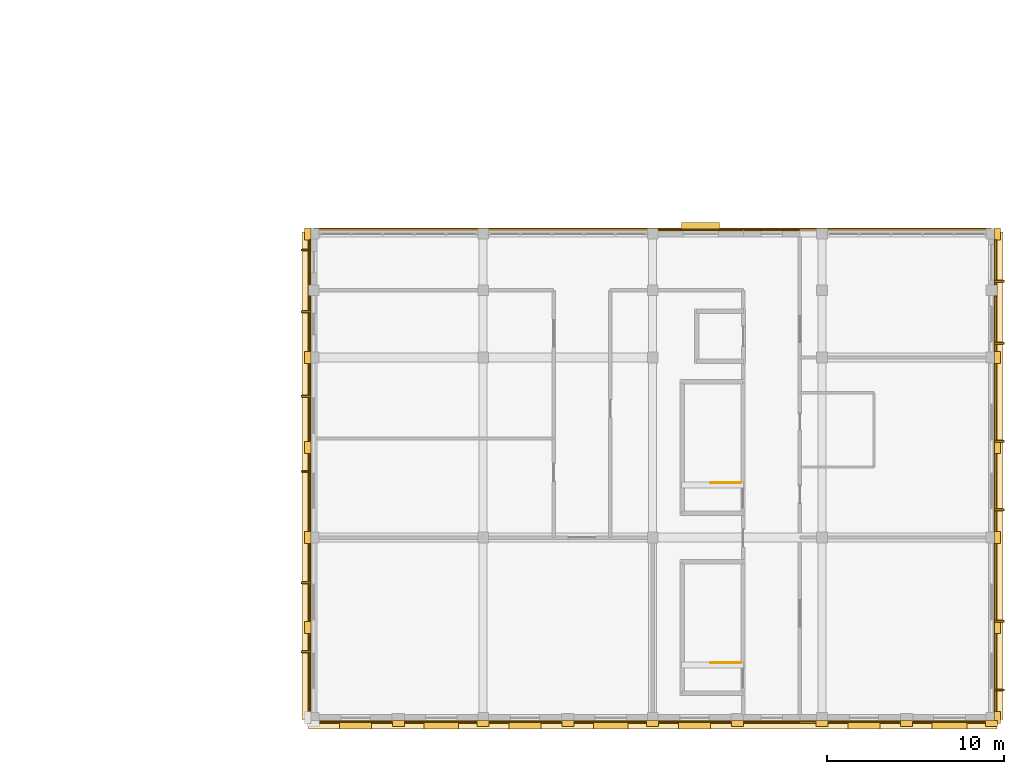
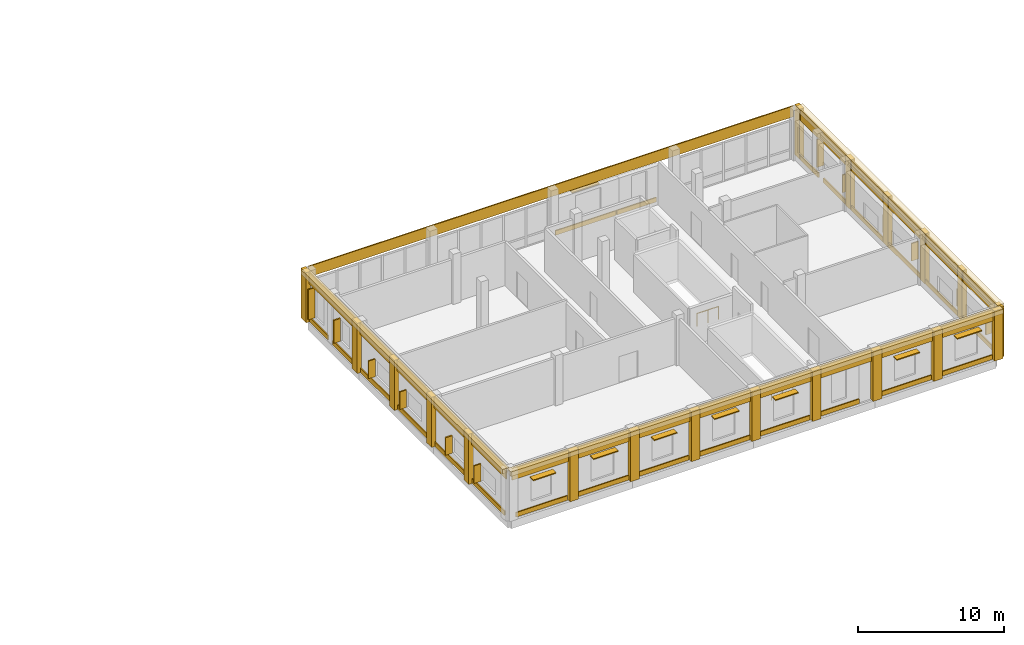
# One storey, part 93 of 93: 44 coverings, 20 shading devices, 2 railings.
"""IFC4 building model written with IfcOpenShell, lengths in metres."""

from ifc_helpers import new_model, si_unit, direction, frame, origin, origin_2d, place, context, subcontext, project, spatial, rectangle, circle, extrude, material, layer, layer_set, type_object, element, save


model = new_model("IFC4")

# Units and contexts
model_context = context("Model", 3, precision=1e-05, world=origin(), true_north=direction((0.0, 1.0)))
body_context = subcontext(model_context, "Body", "Model", "MODEL_VIEW")
ifc_project = project(units=[si_unit("LENGTHUNIT", "METRE"), si_unit("AREAUNIT", "SQUARE_METRE"), si_unit("VOLUMEUNIT", "CUBIC_METRE"), si_unit("PLANEANGLEUNIT", "RADIAN"), si_unit("MASSUNIT", "GRAM", prefix="KILO")], contexts=[model_context])

# Site, building, storey
site_placement = place(None, origin())
site = spatial("IfcSite", under=ifc_project, at=site_placement, CompositionType="ELEMENT")
building_placement = place(site_placement, origin())
building = spatial("IfcBuilding", under=site, at=building_placement, Name="Vondelvale Polytechnic", CompositionType="ELEMENT")
storey_placement = place(building_placement, frame((0.0, 0.0, 18.0)))
storey = spatial("IfcBuildingStorey", under=building, at=storey_placement, Name="L04", CompositionType="ELEMENT", Elevation=18.0)

# Coverings
ifc_material_1 = material(Name="Amsterdam School iron-spot clinker clay brickwork", Category="masonry")
ifc_layer_1 = layer(ifc_material_1, 0.090087890625)
ifc_layer_set_1 = layer_set([ifc_layer_1], Name="COV-BRICK-RELIEF")
covering_type = type_object("IfcCoveringType", Name="COV-BRICK-RELIEF", PredefinedType="CLADDING", material=ifc_layer_set_1)
covering_1_placement = place(storey_placement, frame((153.60009765625, -0.264892578125, 3.239990234375), z_axis=(0.0, 0.0, 1.0), x_axis=(1.0, 0.0, 0.0)))
element("IfcCovering", 1, at=covering_1_placement, inside=storey, type_object=covering_type, Name="L04 exterior masonry spandrel band", PredefinedType="CLADDING", context=body_context, shape_type="SweptSolid", body=[
    extrude(rectangle(XDim=38.39990234375, YDim=0.090087890625, at=origin_2d()), origin(), (0.0, 0.0, 1.0), 0.9599609375),
])
for number, where, z_axis, x_axis, name in (
    (2, (134.135009765625, 13.699951171875, 3.239990234375), (0.0, 0.0, 1.0), (0.0, 1.0, 0.0), "L04 exterior masonry spandrel band"),
    (3, (173.06494140625, 13.699951171875, 3.239990234375), (0.0, 0.0, 1.0), (0.0, 1.0, 0.0), "L04 exterior masonry spandrel band"),
):
    element("IfcCovering", number, at=place(storey_placement, frame(where, z_axis=z_axis, x_axis=x_axis)), inside=storey, type_object=covering_type, Name=name, PredefinedType="CLADDING", context=body_context, shape_type="SweptSolid", body=[
        extrude(rectangle(XDim=27.39990234375, YDim=0.090087890625, at=origin_2d()), origin(), (0.0, 0.0, 1.0), 0.9599609375),
    ])
covering_2_placement = place(storey_placement, frame((153.60009765625, 27.6650390625, 3.300048828125), z_axis=(0.0, 0.0, 1.0), x_axis=(1.0, 0.0, 0.0)))
element("IfcCovering", 4, at=covering_2_placement, inside=storey, type_object=covering_type, Name="L04 exterior masonry spandrel band", PredefinedType="CLADDING", context=body_context, shape_type="SweptSolid", body=[
    extrude(rectangle(XDim=38.39990234375, YDim=0.090087890625, at=origin_2d()), origin(), (0.0, 0.0, 1.0), 0.89990234375),
])
for number, where, z_axis, x_axis, name in (
    (5, (136.77490234375, -0.216064453125, 0.0), (0.0, 0.0, 1.0), (-1.0, 0.0, 0.0), "L04 exterior corbelled masonry relief band"),
    (6, (141.625, -0.216064453125, 0.0), (0.0, 0.0, 1.0), (-1.0, 0.0, 0.0), "L04 exterior corbelled masonry relief band"),
    (7, (146.375, -0.216064453125, 0.0), (0.0, 0.0, 1.0), (-1.0, 0.0, 0.0), "L04 exterior corbelled masonry relief band"),
    (8, (151.22509765625, -0.216064453125, 0.0), (0.0, 0.0, 1.0), (-1.0, 0.0, 0.0), "L04 exterior corbelled masonry relief band"),
    (9, (155.97509765625, -0.216064453125, 0.0), (0.0, 0.0, 1.0), (-1.0, 0.0, 0.0), "L04 exterior corbelled masonry relief band"),
):
    element("IfcCovering", number, at=place(storey_placement, frame(where, z_axis=z_axis, x_axis=x_axis)), inside=storey, type_object=covering_type, Name=name, PredefinedType="CLADDING", context=body_context, shape_type="SweptSolid", body=[
        extrude(rectangle(XDim=4.087890625, YDim=0.090087890625, at=origin_2d()), origin(), (0.0, 0.0, 1.0), 0.3798828125),
    ])
covering_3_placement = place(storey_placement, frame((160.3505859375, -0.216064453125, 0.0), z_axis=(0.0, 0.0, 1.0), x_axis=(-1.0, 0.0, 0.0)))
element("IfcCovering", 10, at=covering_3_placement, inside=storey, type_object=covering_type, Name="L04 exterior corbelled masonry relief band", PredefinedType="CLADDING", context=body_context, shape_type="SweptSolid", body=[
    extrude(rectangle(XDim=3.138916015625, YDim=0.090087890625, at=origin_2d()), origin(), (0.0, 0.0, 1.0), 0.3798828125),
])
for number, where, z_axis, x_axis, name in (
    (11, (165.574951171875, -0.216064453125, 0.0), (0.0, 0.0, 1.0), (-1.0, 0.0, 0.0), "L04 exterior corbelled masonry relief band"),
    (12, (170.425048828125, -0.216064453125, 0.0), (0.0, 0.0, 1.0), (-1.0, 0.0, 0.0), "L04 exterior corbelled masonry relief band"),
):
    element("IfcCovering", number, at=place(storey_placement, frame(where, z_axis=z_axis, x_axis=x_axis)), inside=storey, type_object=covering_type, Name=name, PredefinedType="CLADDING", context=body_context, shape_type="SweptSolid", body=[
        extrude(rectangle(XDim=4.087890625, YDim=0.090087890625, at=origin_2d()), origin(), (0.0, 0.0, 1.0), 0.3798828125),
    ])
for number, where, z_axis, x_axis, name in (
    (13, (134.18408203125, 5.10009765625, 0.0), (0.0, 0.0, 1.0), (0.0, 1.0, 0.0), "L04 exterior corbelled masonry relief band"),
    (14, (134.18408203125, 15.300048828125, 0.0), (0.0, 0.0, 1.0), (0.0, 1.0, 0.0), "L04 exterior corbelled masonry relief band"),
):
    element("IfcCovering", number, at=place(storey_placement, frame(where, z_axis=z_axis, x_axis=x_axis)), inside=storey, type_object=covering_type, Name=name, PredefinedType="CLADDING", context=body_context, shape_type="SweptSolid", body=[
        extrude(rectangle(XDim=9.5380859375, YDim=0.090087890625, at=origin_2d()), origin(), (0.0, 0.0, 1.0), 0.3798828125),
    ])
covering_4_placement = place(storey_placement, frame((134.18408203125, 22.300048828125, 0.0), z_axis=(0.0, 0.0, 1.0), x_axis=(0.0, 1.0, 0.0)))
element("IfcCovering", 15, at=covering_4_placement, inside=storey, type_object=covering_type, Name="L04 exterior corbelled masonry relief band", PredefinedType="CLADDING", context=body_context, shape_type="SweptSolid", body=[
    extrude(rectangle(XDim=3.137939453125, YDim=0.090087890625, at=origin_2d()), origin(), (0.0, 0.0, 1.0), 0.3798828125),
])
covering_5_placement = place(storey_placement, frame((134.18408203125, 25.800048828125, 0.0), z_axis=(0.0, 0.0, 1.0), x_axis=(0.0, 1.0, 0.0)))
element("IfcCovering", 16, at=covering_5_placement, inside=storey, type_object=covering_type, Name="L04 exterior corbelled masonry relief band", PredefinedType="CLADDING", context=body_context, shape_type="SweptSolid", body=[
    extrude(rectangle(XDim=2.5380859375, YDim=0.090087890625, at=origin_2d()), origin(), (0.0, 0.0, 1.0), 0.3798828125),
])
for number, where, z_axis, x_axis, name in (
    (17, (173.01611328125, 5.10009765625, 0.0), (0.0, 0.0, 1.0), (0.0, -1.0, 0.0), "L04 exterior corbelled masonry relief band"),
    (18, (173.01611328125, 15.300048828125, 0.0), (0.0, 0.0, 1.0), (0.0, -1.0, 0.0), "L04 exterior corbelled masonry relief band"),
):
    element("IfcCovering", number, at=place(storey_placement, frame(where, z_axis=z_axis, x_axis=x_axis)), inside=storey, type_object=covering_type, Name=name, PredefinedType="CLADDING", context=body_context, shape_type="SweptSolid", body=[
        extrude(rectangle(XDim=9.5380859375, YDim=0.090087890625, at=origin_2d()), origin(), (0.0, 0.0, 1.0), 0.3798828125),
    ])
covering_6_placement = place(storey_placement, frame((173.01611328125, 25.800048828125, 0.0), z_axis=(0.0, 0.0, 1.0), x_axis=(0.0, -1.0, 0.0)))
element("IfcCovering", 19, at=covering_6_placement, inside=storey, type_object=covering_type, Name="L04 exterior corbelled masonry relief band", PredefinedType="CLADDING", context=body_context, shape_type="SweptSolid", body=[
    extrude(rectangle(XDim=2.5380859375, YDim=0.090087890625, at=origin_2d()), origin(), (0.0, 0.0, 1.0), 0.3798828125),
])
covering_7_placement = place(storey_placement, frame((173.01611328125, 22.300048828125, 0.0), z_axis=(0.0, 0.0, 1.0), x_axis=(0.0, -1.0, 0.0)))
element("IfcCovering", 20, at=covering_7_placement, inside=storey, type_object=covering_type, Name="L04 exterior corbelled masonry relief band", PredefinedType="CLADDING", context=body_context, shape_type="SweptSolid", body=[
    extrude(rectangle(XDim=3.137939453125, YDim=0.090087890625, at=origin_2d()), origin(), (0.0, 0.0, 1.0), 0.3798828125),
])
covering_8_placement = place(storey_placement, frame((156.325439453125, 27.615966796875, 0.0), z_axis=(0.0, 0.0, 1.0), x_axis=(1.0, 0.0, 0.0)))
element("IfcCovering", 21, at=covering_8_placement, inside=storey, type_object=covering_type, Name="L04 exterior corbelled masonry relief band", PredefinedType="CLADDING", context=body_context, shape_type="SweptSolid", body=[
    extrude(rectangle(XDim=4.7890625, YDim=0.090087890625, at=origin_2d()), origin(), (0.0, 0.0, 1.0), 0.3798828125),
])
covering_9_placement = place(storey_placement, frame((160.35009765625, 27.615966796875, 0.0), z_axis=(0.0, 0.0, 1.0), x_axis=(1.0, 0.0, 0.0)))
element("IfcCovering", 22, at=covering_9_placement, inside=storey, type_object=covering_type, Name="L04 exterior corbelled masonry relief band", PredefinedType="CLADDING", context=body_context, shape_type="SweptSolid", body=[
    extrude(rectangle(XDim=3.139892578125, YDim=0.090087890625, at=origin_2d()), origin(), (0.0, 0.0, 1.0), 0.3798828125),
])
for number, where, z_axis, x_axis, name in (
    (23, (139.199951171875, -0.340087890625, 0.0), (0.0, 0.0, 1.0), (1.0, 0.0, 0.0), "L04 Lecture wing giant-order pilaster S"),
    (24, (144.0, -0.340087890625, 0.0), (0.0, 0.0, 1.0), (1.0, 0.0, 0.0), "L04 Lecture wing giant-order pilaster S"),
    (25, (148.800048828125, -0.340087890625, 0.0), (0.0, 0.0, 1.0), (1.0, 0.0, 0.0), "L04 Lecture wing giant-order pilaster S"),
    (26, (153.60009765625, -0.340087890625, 0.0), (0.0, 0.0, 1.0), (1.0, 0.0, 0.0), "L04 Lecture wing giant-order pilaster S"),
    (27, (158.39990234375, -0.340087890625, 0.0), (0.0, 0.0, 1.0), (1.0, 0.0, 0.0), "L04 Lecture wing giant-order pilaster S"),
    (28, (163.199951171875, -0.340087890625, 0.0), (0.0, 0.0, 1.0), (1.0, 0.0, 0.0), "L04 Lecture wing giant-order pilaster S"),
    (29, (168.0, -0.340087890625, 0.0), (0.0, 0.0, 1.0), (1.0, 0.0, 0.0), "L04 Lecture wing giant-order pilaster S"),
    (30, (172.800048828125, -0.340087890625, 0.0), (0.0, 0.0, 1.0), (1.0, 0.0, 0.0), "L04 Lecture wing giant-order pilaster S"),
):
    element("IfcCovering", number, at=place(storey_placement, frame(where, z_axis=z_axis, x_axis=x_axis)), inside=storey, type_object=covering_type, Name=name, PredefinedType="CLADDING", context=body_context, shape_type="SweptSolid", body=[
        extrude(rectangle(XDim=0.679931640625, YDim=0.360107421875, at=origin_2d()), origin(), (0.0, 0.0, 1.0), 4.199951171875),
    ])
for number, where, z_axis, x_axis, name in (
    (31, (173.139892578125, 0.0, 0.0), (0.0, 0.0, 1.0), (1.0, 0.0, 0.0), "L04 Lecture wing giant-order pilaster E"),
    (32, (134.06005859375, 5.10009765625, 0.0), (0.0, 0.0, 1.0), (1.0, 0.0, 0.0), "L04 Lecture wing giant-order pilaster W"),
    (33, (173.139892578125, 5.10009765625, 0.0), (0.0, 0.0, 1.0), (1.0, 0.0, 0.0), "L04 Lecture wing giant-order pilaster E"),
    (34, (134.06005859375, 10.199951171875, 0.0), (0.0, 0.0, 1.0), (1.0, 0.0, 0.0), "L04 Lecture wing giant-order pilaster W"),
    (35, (173.139892578125, 10.199951171875, 0.0), (0.0, 0.0, 1.0), (1.0, 0.0, 0.0), "L04 Lecture wing giant-order pilaster E"),
    (36, (134.06005859375, 15.300048828125, 0.0), (0.0, 0.0, 1.0), (1.0, 0.0, 0.0), "L04 Lecture wing giant-order pilaster W"),
    (37, (173.139892578125, 15.300048828125, 0.0), (0.0, 0.0, 1.0), (1.0, 0.0, 0.0), "L04 Lecture wing giant-order pilaster E"),
    (38, (134.06005859375, 20.39990234375, 0.0), (0.0, 0.0, 1.0), (1.0, 0.0, 0.0), "L04 Lecture wing giant-order pilaster W"),
    (39, (173.139892578125, 20.39990234375, 0.0), (0.0, 0.0, 1.0), (1.0, 0.0, 0.0), "L04 Lecture wing giant-order pilaster E"),
    (40, (134.06005859375, 27.39990234375, 0.0), (0.0, 0.0, 1.0), (1.0, 0.0, 0.0), "L04 Lecture wing giant-order pilaster W"),
    (41, (173.139892578125, 27.39990234375, 0.0), (0.0, 0.0, 1.0), (1.0, 0.0, 0.0), "L04 Lecture wing giant-order pilaster E"),
):
    element("IfcCovering", number, at=place(storey_placement, frame(where, z_axis=z_axis, x_axis=x_axis)), inside=storey, type_object=covering_type, Name=name, PredefinedType="CLADDING", context=body_context, shape_type="SweptSolid", body=[
        extrude(rectangle(XDim=0.360107421875, YDim=0.679931640625, at=origin_2d()), origin(), (0.0, 0.0, 1.0), 4.199951171875),
    ])
covering_10_placement = place(storey_placement, frame((153.60009765625, -0.39990234375, 3.860107421875), z_axis=(0.0, 0.0, 1.0), x_axis=(1.0, 0.0, 0.0)))
element("IfcCovering", 42, at=covering_10_placement, inside=storey, type_object=covering_type, Name="L04 Lecture wing Classical entablature cornice S", PredefinedType="CLADDING", context=body_context, shape_type="SweptSolid", body=[
    extrude(rectangle(XDim=39.0, YDim=0.52001953125, at=origin_2d()), origin(), (0.0, 0.0, 1.0), 0.3798828125),
])
for number, where, z_axis, x_axis, name in (
    (43, (134.0, 13.699951171875, 3.860107421875), (0.0, 0.0, 1.0), (1.0, 0.0, 0.0), "L04 Lecture wing Classical entablature cornice W"),
    (44, (173.199951171875, 13.699951171875, 3.860107421875), (0.0, 0.0, 1.0), (1.0, 0.0, 0.0), "L04 Lecture wing Classical entablature cornice E"),
):
    element("IfcCovering", number, at=place(storey_placement, frame(where, z_axis=z_axis, x_axis=x_axis)), inside=storey, type_object=covering_type, Name=name, PredefinedType="CLADDING", context=body_context, shape_type="SweptSolid", body=[
        extrude(rectangle(XDim=0.52001953125, YDim=27.60009765625, at=origin_2d()), origin(), (0.0, 0.0, 1.0), 0.3798828125),
    ])

# Railings
ifc_material_2 = material(Name="Brushed architectural stainless and zinc-coated metal")
ifc_layer_2 = layer(ifc_material_2, 0.050048828125)
ifc_layer_set_2 = layer_set([ifc_layer_2], Name="RL-STAIR-GUARD")
railing_type = type_object("IfcRailingType", Name="RL-STAIR-GUARD", PredefinedType="GUARDRAIL", material=ifc_layer_set_2)
for number, where, name in (
    (45, (158.60009765625, 3.10009765625, 0.0), "L04 ST-06 top well guard 1"),
    (46, (158.60009765625, 13.300048828125, 0.0), "L04 ST-07 top well guard 1"),
):
    element("IfcRailing", number, at=place(storey_placement, frame(where)), inside=storey, type_object=railing_type, Name=name, PredefinedType="GUARDRAIL", context=body_context, shape_type="SweptSolid", body=[
        extrude(circle(Radius=0.02392578125, at=origin_2d()), frame((0.0, 0.0, 1.076171875), z_axis=(-1.0, 0.0, 0.0), x_axis=(0.0, -1.0, 0.0)), (0.0, 0.0, 1.0), 1.7001953125),
        extrude(circle(Radius=0.02099609375, at=origin_2d()), origin(), (0.0, 0.0, 1.0), 1.052001953125),
        extrude(circle(Radius=0.02099609375, at=origin_2d()), frame((-0.85009765625, 0.0, 0.0)), (0.0, 0.0, 1.0), 1.052001953125),
        extrude(circle(Radius=0.02099609375, at=origin_2d()), frame((-1.7001953125, 0.0, 0.0)), (0.0, 0.0, 1.0), 1.052001953125),
    ])

# Shading devices
ifc_material_3 = material(Name="Anodised extruded aluminium 6063-T6", Category="aluminium")
shading_device_type_1 = type_object("IfcShadingDeviceType", Name="SHD-BRONZE-LOUVRE", PredefinedType="SHUTTER", material=ifc_material_3)
shading_device_1_placement = place(storey_placement, frame((136.77490234375, -0.39990234375, 2.857421875), z_axis=(0.0, 0.0, 1.0), x_axis=(-1.0, 0.0, 0.0)))
element("IfcShadingDevice", 47, at=shading_device_1_placement, inside=storey, type_object=shading_device_type_1, Name="L04 horizontal bronze sun-louvre overhang", PredefinedType="SHUTTER", context=body_context, shape_type="SweptSolid", body=[
    extrude(rectangle(XDim=1.81005859375, YDim=0.47998046875, at=origin_2d()), origin(), (0.0, 0.0, 1.0), 0.0849609375),
])
shading_device_2_placement = place(storey_placement, frame((141.625, -0.39990234375, 2.95751953125), z_axis=(0.0, 0.0, 1.0), x_axis=(-1.0, 0.0, 0.0)))
element("IfcShadingDevice", 48, at=shading_device_2_placement, inside=storey, type_object=shading_device_type_1, Name="L04 horizontal bronze sun-louvre overhang", PredefinedType="SHUTTER", context=body_context, shape_type="SweptSolid", body=[
    extrude(rectangle(XDim=1.9599609375, YDim=0.47998046875, at=origin_2d()), origin(), (0.0, 0.0, 1.0), 0.0849609375),
])
shading_device_3_placement = place(storey_placement, frame((146.375, -0.39990234375, 2.857421875), z_axis=(0.0, 0.0, 1.0), x_axis=(-1.0, 0.0, 0.0)))
element("IfcShadingDevice", 49, at=shading_device_3_placement, inside=storey, type_object=shading_device_type_1, Name="L04 horizontal bronze sun-louvre overhang", PredefinedType="SHUTTER", context=body_context, shape_type="SweptSolid", body=[
    extrude(rectangle(XDim=1.81005859375, YDim=0.47998046875, at=origin_2d()), origin(), (0.0, 0.0, 1.0), 0.0849609375),
])
shading_device_4_placement = place(storey_placement, frame((151.22509765625, -0.39990234375, 2.95751953125), z_axis=(0.0, 0.0, 1.0), x_axis=(-1.0, 0.0, 0.0)))
element("IfcShadingDevice", 50, at=shading_device_4_placement, inside=storey, type_object=shading_device_type_1, Name="L04 horizontal bronze sun-louvre overhang", PredefinedType="SHUTTER", context=body_context, shape_type="SweptSolid", body=[
    extrude(rectangle(XDim=1.9599609375, YDim=0.47998046875, at=origin_2d()), origin(), (0.0, 0.0, 1.0), 0.0849609375),
])
for number, where, z_axis, x_axis, name in (
    (51, (155.97509765625, -0.39990234375, 2.857421875), (0.0, 0.0, 1.0), (-1.0, 0.0, 0.0), "L04 horizontal bronze sun-louvre overhang"),
    (52, (165.574951171875, -0.39990234375, 2.857421875), (0.0, 0.0, 1.0), (-1.0, 0.0, 0.0), "L04 horizontal bronze sun-louvre overhang"),
):
    element("IfcShadingDevice", number, at=place(storey_placement, frame(where, z_axis=z_axis, x_axis=x_axis)), inside=storey, type_object=shading_device_type_1, Name=name, PredefinedType="SHUTTER", context=body_context, shape_type="SweptSolid", body=[
        extrude(rectangle(XDim=1.81005859375, YDim=0.47998046875, at=origin_2d()), origin(), (0.0, 0.0, 1.0), 0.0849609375),
    ])
shading_device_5_placement = place(storey_placement, frame((170.425048828125, -0.39990234375, 2.95751953125), z_axis=(0.0, 0.0, 1.0), x_axis=(-1.0, 0.0, 0.0)))
element("IfcShadingDevice", 53, at=shading_device_5_placement, inside=storey, type_object=shading_device_type_1, Name="L04 horizontal bronze sun-louvre overhang", PredefinedType="SHUTTER", context=body_context, shape_type="SweptSolid", body=[
    extrude(rectangle(XDim=1.9599609375, YDim=0.47998046875, at=origin_2d()), origin(), (0.0, 0.0, 1.0), 0.0849609375),
])
shading_device_6_placement = place(storey_placement, frame((156.325439453125, 27.800048828125, 3.0576171875), z_axis=(0.0, 0.0, 1.0), x_axis=(1.0, 0.0, 0.0)))
element("IfcShadingDevice", 54, at=shading_device_6_placement, inside=storey, type_object=shading_device_type_1, Name="L04 horizontal bronze sun-louvre overhang", PredefinedType="SHUTTER", context=body_context, shape_type="SweptSolid", body=[
    extrude(rectangle(XDim=2.159912109375, YDim=0.47998046875, at=origin_2d()), origin(), (0.0, 0.0, 1.0), 0.0849609375),
])
ifc_material_4 = material(Name="Kiln-fired architectural terracotta", Category="masonry")
shading_device_type_2 = type_object("IfcShadingDeviceType", Name="SHD-TERRA-FIN-550", PredefinedType="JALOUSIE", material=ifc_material_4)
for number, where, z_axis, x_axis, name in (
    (55, (133.965087890625, 3.740966796875, 0.7900390625), (0.0, 0.0, 1.0), (0.0, 1.0, 0.0), "L04 vertical terracotta solar fin"),
    (56, (133.965087890625, 7.64111328125, 0.7900390625), (0.0, 0.0, 1.0), (0.0, 1.0, 0.0), "L04 vertical terracotta solar fin"),
    (57, (133.965087890625, 13.94091796875, 0.7900390625), (0.0, 0.0, 1.0), (0.0, 1.0, 0.0), "L04 vertical terracotta solar fin"),
    (58, (133.965087890625, 18.2099609375, 0.7900390625), (0.0, 0.0, 1.0), (0.0, 1.0, 0.0), "L04 vertical terracotta solar fin"),
):
    element("IfcShadingDevice", number, at=place(storey_placement, frame(where, z_axis=z_axis, x_axis=x_axis)), inside=storey, type_object=shading_device_type_2, Name=name, PredefinedType="JALOUSIE", context=body_context, shape_type="SweptSolid", body=[
        extrude(rectangle(XDim=0.110107421875, YDim=0.550048828125, at=origin_2d()), origin(), (0.0, 0.0, 1.0), 1.469970703125),
    ])
shading_device_7_placement = place(storey_placement, frame((133.965087890625, 22.989990234375, 0.840087890625), z_axis=(0.0, 0.0, 1.0), x_axis=(0.0, 1.0, 0.0)))
element("IfcShadingDevice", 59, at=shading_device_7_placement, inside=storey, type_object=shading_device_type_2, Name="L04 vertical terracotta solar fin", PredefinedType="JALOUSIE", context=body_context, shape_type="SweptSolid", body=[
    extrude(rectangle(XDim=0.110107421875, YDim=0.550048828125, at=origin_2d()), origin(), (0.0, 0.0, 1.0), 1.919921875),
])
shading_device_8_placement = place(storey_placement, frame((133.965087890625, 26.489990234375, 0.68994140625), z_axis=(0.0, 0.0, 1.0), x_axis=(0.0, 1.0, 0.0)))
element("IfcShadingDevice", 60, at=shading_device_8_placement, inside=storey, type_object=shading_device_type_2, Name="L04 vertical terracotta solar fin", PredefinedType="JALOUSIE", context=body_context, shape_type="SweptSolid", body=[
    extrude(rectangle(XDim=0.110107421875, YDim=0.550048828125, at=origin_2d()), origin(), (0.0, 0.0, 1.0), 2.52001953125),
])
for number, where, z_axis, x_axis, name in (
    (61, (173.235107421875, 1.56103515625, 0.7900390625), (0.0, 0.0, 1.0), (0.0, -1.0, 0.0), "L04 vertical terracotta solar fin"),
    (62, (173.235107421875, 5.4609375, 0.7900390625), (0.0, 0.0, 1.0), (0.0, -1.0, 0.0), "L04 vertical terracotta solar fin"),
    (63, (173.235107421875, 11.760986328125, 0.7900390625), (0.0, 0.0, 1.0), (0.0, -1.0, 0.0), "L04 vertical terracotta solar fin"),
    (64, (173.235107421875, 15.660888671875, 0.7900390625), (0.0, 0.0, 1.0), (0.0, -1.0, 0.0), "L04 vertical terracotta solar fin"),
):
    element("IfcShadingDevice", number, at=place(storey_placement, frame(where, z_axis=z_axis, x_axis=x_axis)), inside=storey, type_object=shading_device_type_2, Name=name, PredefinedType="JALOUSIE", context=body_context, shape_type="SweptSolid", body=[
        extrude(rectangle(XDim=0.110107421875, YDim=0.550048828125, at=origin_2d()), origin(), (0.0, 0.0, 1.0), 1.469970703125),
    ])
shading_device_9_placement = place(storey_placement, frame((173.235107421875, 24.7099609375, 0.7900390625), z_axis=(0.0, 0.0, 1.0), x_axis=(0.0, -1.0, 0.0)))
element("IfcShadingDevice", 65, at=shading_device_9_placement, inside=storey, type_object=shading_device_type_2, Name="L04 vertical terracotta solar fin", PredefinedType="JALOUSIE", context=body_context, shape_type="SweptSolid", body=[
    extrude(rectangle(XDim=0.110107421875, YDim=0.550048828125, at=origin_2d()), origin(), (0.0, 0.0, 1.0), 2.320068359375),
])
shading_device_10_placement = place(storey_placement, frame((173.235107421875, 21.2099609375, 0.7900390625), z_axis=(0.0, 0.0, 1.0), x_axis=(0.0, -1.0, 0.0)))
element("IfcShadingDevice", 66, at=shading_device_10_placement, inside=storey, type_object=shading_device_type_2, Name="L04 vertical terracotta solar fin", PredefinedType="JALOUSIE", context=body_context, shape_type="SweptSolid", body=[
    extrude(rectangle(XDim=0.110107421875, YDim=0.550048828125, at=origin_2d()), origin(), (0.0, 0.0, 1.0), 1.469970703125),
])

save(model, "model.ifc")
